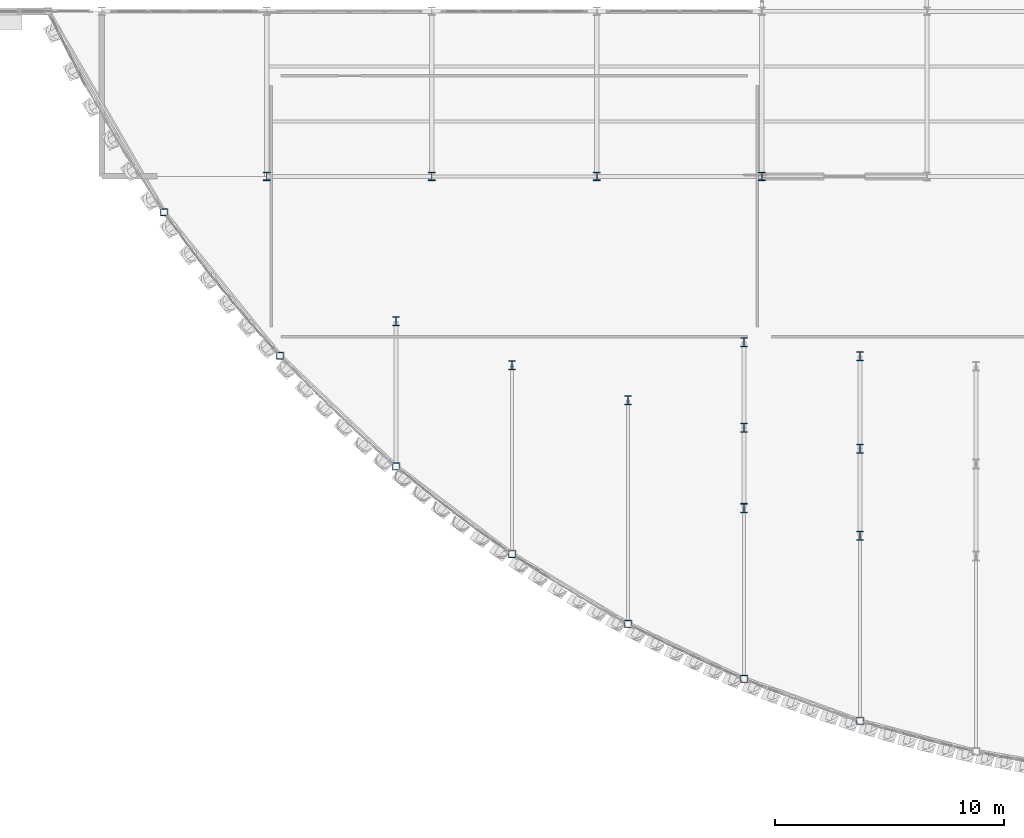
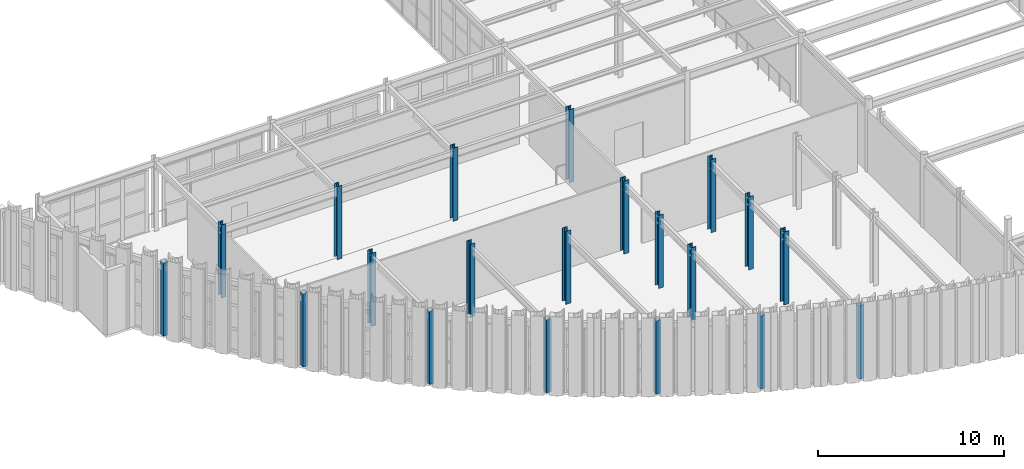
# One storey, part 1 of 126: 20 columns.
"""IFC4 building model written with IfcOpenShell, lengths in metres."""

from ifc_helpers import new_model, si_unit, direction, frame, origin, origin_2d, place, context, subcontext, project, spatial, hollow_rectangle, i_section, extrude, material, material_profile, profile_set, type_object, element, save


model = new_model("IFC4")

# Units and contexts
model_context = context("Model", 3, precision=1e-05, world=origin(), true_north=direction((0.0, 1.0)))
body_context = subcontext(model_context, "Body", "Model", "MODEL_VIEW")
ifc_project = project(units=[si_unit("LENGTHUNIT", "METRE"), si_unit("AREAUNIT", "SQUARE_METRE"), si_unit("VOLUMEUNIT", "CUBIC_METRE"), si_unit("PLANEANGLEUNIT", "RADIAN"), si_unit("MASSUNIT", "GRAM", prefix="KILO")], contexts=[model_context])

# Site, building, storey
site_placement = place(None, origin())
site = spatial("IfcSite", under=ifc_project, at=site_placement, CompositionType="ELEMENT")
building_placement = place(site_placement, origin())
building = spatial("IfcBuilding", under=site, at=building_placement, Name="Solvadek Multi-Sports Hall", CompositionType="ELEMENT")
storey_placement = place(building_placement, frame((0.0, 0.0, 9.60009765625)))
storey = spatial("IfcBuildingStorey", under=building, at=storey_placement, Name="L02", CompositionType="ELEMENT", Elevation=9.60009765625)

# Columns
ifc_material = material(Name="Steel E350 (350 MPa)", Category="steel")
ifc_material_profile_1 = material_profile(ifc_material, hollow_rectangle(XDim=0.300048828125, YDim=0.300048828125, WallThickness=0.012451171875, at=origin_2d()), Name="SHS 300x300x12.5")
ifc_profile_set_1 = profile_set([ifc_material_profile_1], Name="Steel E350 (350 MPa)")
column_type_1 = type_object("IfcColumnType", Name="STR-COL-SHS300", PredefinedType="COLUMN", material=ifc_profile_set_1)
for number, where, z_axis, x_axis, name in (
    (1, (31.51513671875, 11.63232421875, 0.0), (0.0, 0.0, 1.0), (1.0, 0.0, 0.0), "L02 Column C-10 #267"),
    (2, (36.57568359375, 5.37158203125, 0.0), (0.0, 0.0, 1.0), (1.0, 0.0, 0.0), "L02 Column C-10 #268"),
    (3, (41.636474609375, 0.54541015625, 0.0), (0.0, 0.0, 1.0), (1.0, 0.0, 0.0), "L02 Column C-10 #269"),
    (4, (46.697021484375, -3.2783203125, 0.0), (0.0, 0.0, 1.0), (1.0, 0.0, 0.0), "L02 Column C-10 #271"),
    (5, (51.757568359375, -6.323974609375, 0.0), (0.0, 0.0, 1.0), (1.0, 0.0, 0.0), "L02 Column C-10 #273"),
    (6, (56.818115234375, -8.72412109375, 0.0), (0.0, 0.0, 1.0), (1.0, 0.0, 0.0), "L02 Column C-10 #275"),
    (7, (61.87890625, -10.562744140625, 0.0), (0.0, 0.0, 1.0), (1.0, 0.0, 0.0), "L02 Column C-10 #279"),
):
    element("IfcColumn", number, at=place(storey_placement, frame(where, z_axis=z_axis, x_axis=x_axis)), inside=storey, type_object=column_type_1, Name=name, PredefinedType="COLUMN", context=body_context, shape_type="SweptSolid", body=[
        extrude(hollow_rectangle(XDim=0.300048828125, YDim=0.300048828125, WallThickness=0.012451171875, at=origin_2d()), origin(), (0.0, 0.0, 1.0), 4.7998046875),
    ])
ifc_material_profile_2 = material_profile(ifc_material, i_section(OverallWidth=0.300048828125, OverallDepth=0.360107421875, WebThickness=0.012451171875, FlangeThickness=0.0224609375, at=origin_2d()), Name="WPB 360")
ifc_profile_set_2 = profile_set([ifc_material_profile_2], Name="Steel E350 (350 MPa)")
column_type_2 = type_object("IfcColumnType", Name="STR-COL-WPB360", PredefinedType="COLUMN", material=ifc_profile_set_2)
for number, where, z_axis, x_axis, name in (
    (8, (36.0, 13.199951171875, 0.0), (0.0, 0.0, 1.0), (1.0, 0.0, 0.0), "L02 Column C-08 #67"),
    (9, (43.199951171875, 13.199951171875, 0.0), (0.0, 0.0, 1.0), (1.0, 0.0, 0.0), "L02 Column C-08 #83"),
    (10, (50.39990234375, 13.199951171875, 0.0), (0.0, 0.0, 1.0), (1.0, 0.0, 0.0), "L02 Column C-08 #99"),
    (11, (57.60009765625, 13.199951171875, 0.0), (0.0, 0.0, 1.0), (1.0, 0.0, 0.0), "L02 Column C-08 #115"),
):
    element("IfcColumn", number, at=place(storey_placement, frame(where, z_axis=z_axis, x_axis=x_axis)), inside=storey, type_object=column_type_2, Name=name, PredefinedType="COLUMN", context=body_context, shape_type="SweptSolid", body=[
        extrude(i_section(OverallWidth=0.300048828125, OverallDepth=0.360107421875, WebThickness=0.012451171875, FlangeThickness=0.0224609375, at=origin_2d()), origin(), (0.0, 0.0, 1.0), 4.7998046875),
    ])
ifc_material_profile_3 = material_profile(ifc_material, i_section(OverallWidth=0.300048828125, OverallDepth=0.39990234375, WebThickness=0.013427734375, FlangeThickness=0.02392578125, at=origin_2d()), Name="WPB 400")
ifc_profile_set_3 = profile_set([ifc_material_profile_3], Name="Steel E350 (350 MPa)")
column_type_3 = type_object("IfcColumnType", Name="STR-COL-WPB400", PredefinedType="COLUMN", material=ifc_profile_set_3)
for number, where, z_axis, x_axis, name in (
    (12, (41.636474609375, 6.87255859375, 0.0), (0.0, 0.0, 1.0), (1.0, 0.0, 0.0), "L02 Column C-07 #270"),
    (13, (46.697021484375, 4.960693359375, 0.0), (0.0, 0.0, 1.0), (1.0, 0.0, 0.0), "L02 Column C-07 #272"),
    (14, (51.757568359375, 3.43798828125, 0.0), (0.0, 0.0, 1.0), (1.0, 0.0, 0.0), "L02 Column C-07 #274"),
    (15, (56.818115234375, 2.23779296875, 0.0), (0.0, 0.0, 1.0), (1.0, 0.0, 0.0), "L02 Column C-07 #276"),
    (16, (56.818115234375, -1.27001953125, 0.0), (0.0, 0.0, 1.0), (1.0, 0.0, 0.0), "L02 Column C-07 #277"),
    (17, (56.818115234375, 5.965087890625, 0.0), (0.0, 0.0, 1.0), (1.0, 0.0, 0.0), "L02 Column C-07 #278"),
    (18, (61.87890625, 1.318603515625, 0.0), (0.0, 0.0, 1.0), (1.0, 0.0, 0.0), "L02 Column C-07 #280"),
    (19, (61.87890625, -2.4833984375, 0.0), (0.0, 0.0, 1.0), (1.0, 0.0, 0.0), "L02 Column C-07 #281"),
    (20, (61.87890625, 5.3583984375, 0.0), (0.0, 0.0, 1.0), (1.0, 0.0, 0.0), "L02 Column C-07 #282"),
):
    element("IfcColumn", number, at=place(storey_placement, frame(where, z_axis=z_axis, x_axis=x_axis)), inside=storey, type_object=column_type_3, Name=name, PredefinedType="COLUMN", context=body_context, shape_type="SweptSolid", body=[
        extrude(i_section(OverallWidth=0.300048828125, OverallDepth=0.39990234375, WebThickness=0.013427734375, FlangeThickness=0.02392578125, at=origin_2d()), origin(), (0.0, 0.0, 1.0), 4.7998046875),
    ])

save(model, "model.ifc")
